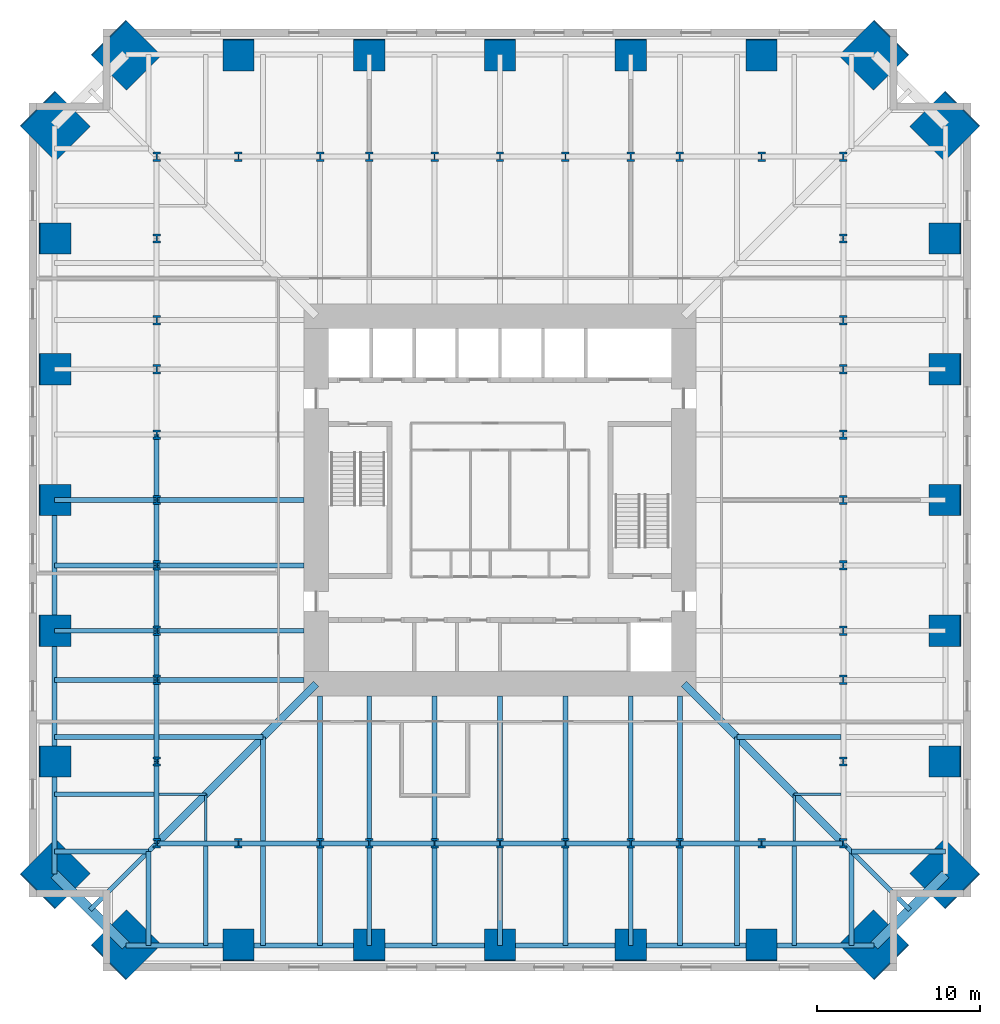
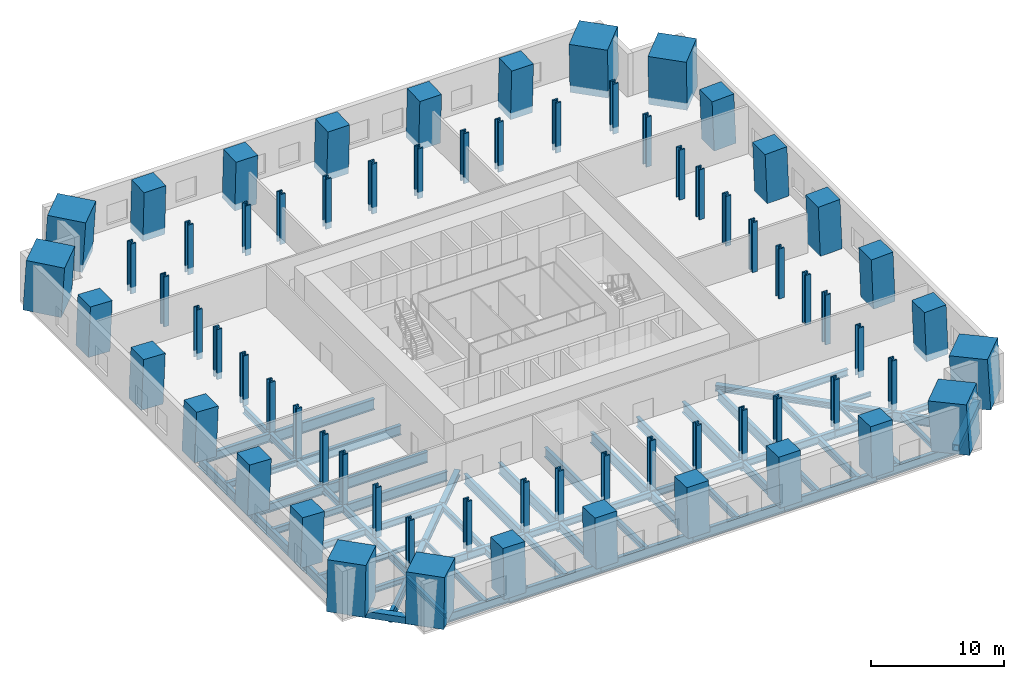
# One storey, part 1 of 8: 71 beams, 68 columns.
"""IFC4 building model written with IfcOpenShell, lengths in metres."""

import ifcopenshell
import ifcopenshell.guid

model = None  # the IFC model being written
_history = None  # IfcOwnerHistory: only IFC2X3 demands one
_inside = {}  # id of a spatial element -> (the spatial element, [elements in it])
_under = {}  # id of a project, library or spatial element -> (it, [spatial elements below it])
_declared = {}  # id of a project -> (the project, [libraries it declares])
_typed = {}  # id of a type object -> (the type object, [elements of that type])
_made_of = {}  # id of a material, layer set ... -> (it, [elements and type objects made of it])


def new_model(schema):
    """Start an empty IFC model of exactly this schema.

    Asked for "IFC4X3", IfcOpenShell would pick the latest addendum, in which some entities
    have other attributes; the version numbers below select the first issue.
    IFC2X3 requires an IfcOwnerHistory on every rooted entity: one is made here for all.
    """
    global model, _history
    if schema == "IFC4X3":
        model = ifcopenshell.file(schema_version=(4, 3, 0, 0))
    else:
        model = ifcopenshell.file(schema=schema)
    _inside.clear()
    _under.clear()
    _declared.clear()
    _typed.clear()
    _made_of.clear()
    _history = None
    if model.schema == "IFC2X3":
        org = make("IfcOrganization", Name="unknown")
        user = make(
            "IfcPersonAndOrganization",
            ThePerson=make("IfcPerson", FamilyName="unknown"),
            TheOrganization=org,
        )
        app = make(
            "IfcApplication",
            ApplicationDeveloper=org,
            Version="unknown",
            ApplicationFullName="unknown",
            ApplicationIdentifier="unknown",
        )
        _history = make(
            "IfcOwnerHistory",
            OwningUser=user,
            OwningApplication=app,
            ChangeAction="ADDED",
            CreationDate=0,
        )
    return model


def make(cls, **values):
    """One entity of the class cls with the attributes given. An attribute that is None is left unset."""
    return model.create_entity(
        cls, **{name: value for name, value in values.items() if value is not None}
    )


def rooted(cls, **values):
    """An entity with a GlobalId (a new one), such as an element, a storey or a relation."""
    return make(cls, GlobalId=ifcopenshell.guid.new(), OwnerHistory=_history, **values)


def si_unit(unit_type, name, prefix=None):
    """IfcSIUnit, for example si_unit("LENGTHUNIT", "METRE", prefix="MILLI")."""
    return make("IfcSIUnit", UnitType=unit_type, Prefix=prefix, Name=name)


def assignment(units):
    """IfcUnitAssignment: the units of a project."""
    return None if units is None else make("IfcUnitAssignment", Units=units)


def point(xyz):
    """IfcCartesianPoint."""
    return None if xyz is None else make("IfcCartesianPoint", Coordinates=xyz)


def direction(xyz):
    """IfcDirection."""
    return None if xyz is None else make("IfcDirection", DirectionRatios=xyz)


def frame(location, z_axis=None, x_axis=None):
    """IfcAxis2Placement3D, a coordinate frame: its origin and axes. An axis left out is left unset."""
    return make(
        "IfcAxis2Placement3D",
        Location=point(location),
        Axis=direction(z_axis),
        RefDirection=direction(x_axis),
    )


def frame_2d(location, x_axis=None):
    """IfcAxis2Placement2D, a coordinate frame in the plane: its origin and x axis."""
    return make(
        "IfcAxis2Placement2D", Location=point(location), RefDirection=direction(x_axis)
    )


def origin():
    """The frame at (0, 0, 0) with its axes left unset."""
    return frame((0.0, 0.0, 0.0))


def origin_2d():
    """The frame at (0, 0) in the plane with its x axis left unset."""
    return frame_2d((0.0, 0.0))


def place(relative_to, where):
    """IfcLocalPlacement: puts the frame where relative to a parent placement (None: the world)."""
    return make(
        "IfcLocalPlacement", PlacementRelTo=relative_to, RelativePlacement=where
    )


def context(
    kind, dimensions, precision=None, world=None, true_north=None, identifier=None
):
    """IfcGeometricRepresentationContext, for example the 3D "Model" context."""
    return make(
        "IfcGeometricRepresentationContext",
        ContextIdentifier=identifier,
        ContextType=kind,
        CoordinateSpaceDimension=dimensions,
        Precision=precision,
        WorldCoordinateSystem=world,
        TrueNorth=true_north,
    )


def subcontext(parent, identifier, kind, view, scale=None):
    """IfcGeometricRepresentationSubContext, for example "Body" below "Model"."""
    return make(
        "IfcGeometricRepresentationSubContext",
        ContextIdentifier=identifier,
        ContextType=kind,
        ParentContext=parent,
        TargetScale=scale,
        TargetView=view,
    )


def project(units=None, contexts=None):
    """IfcProject with its units and contexts."""
    return rooted(
        "IfcProject",
        Name="project",
        RepresentationContexts=contexts,
        UnitsInContext=assignment(units),
    )


def spatial(cls, under=None, at=None, **own):
    """A site, building, storey or space (cls), placed at a placement, below another one or the project."""
    s = rooted(cls, ObjectPlacement=at, **own)
    if under is not None:
        _under.setdefault(under.id(), (under, []))[1].append(s)
    return s


def profile(cls, at=None, kind="AREA", **sizes):
    """A parametric profile (cls). Its sizes go by their IFC names, for example OverallWidth=200.0."""
    return make(cls, ProfileType=kind, Position=at, **sizes)


def rectangle(**sizes):
    """IfcRectangleProfileDef."""
    return profile("IfcRectangleProfileDef", **sizes)


def hollow_rectangle(**sizes):
    """IfcRectangleHollowProfileDef."""
    return profile("IfcRectangleHollowProfileDef", **sizes)


def i_section(**sizes):
    """IfcIShapeProfileDef."""
    return profile("IfcIShapeProfileDef", **sizes)


def extrude(swept, where, along, depth):
    """IfcExtrudedAreaSolid: the profile swept, set in the frame where, extruded along a direction by depth."""
    return make(
        "IfcExtrudedAreaSolid",
        SweptArea=swept,
        Position=where,
        ExtrudedDirection=direction(along),
        Depth=depth,
    )


def shape(context_of_items, identifier, shape_type, items):
    """IfcShapeRepresentation: the items that make up one representation, for example the "Body"."""
    return make(
        "IfcShapeRepresentation",
        ContextOfItems=context_of_items,
        RepresentationIdentifier=identifier,
        RepresentationType=shape_type,
        Items=items,
    )


def material(Name=None, Category=None):
    """IfcMaterial."""
    return make("IfcMaterial", Name=Name, Category=Category)


def material_profile(
    of_material, cross_section, Name=None, Category=None, Priority=None
):
    """IfcMaterialProfile: a cross section and its material."""
    return make(
        "IfcMaterialProfile",
        Name=Name,
        Material=of_material,
        Profile=cross_section,
        Priority=Priority,
        Category=Category,
    )


def profile_set(profiles, Name=None, composite=None):
    """IfcMaterialProfileSet."""
    return make(
        "IfcMaterialProfileSet",
        Name=Name,
        MaterialProfiles=profiles,
        CompositeProfile=composite,
    )


def made_of(thing, what):
    """Note that an element or type object is made of a material, layer set ...; save() writes the relation."""
    if what is not None:
        _made_of.setdefault(what.id(), (what, []))[1].append(thing)
    return thing


def type_object(cls, material=None, **own):
    """A type object (cls), such as IfcWallType, which elements share."""
    return made_of(rooted(cls, **own), material)


def element(
    cls,
    number,
    at=None,
    inside=None,
    cuts=None,
    type_object=None,
    material=None,
    context=None,
    identifier="Body",
    shape_type=None,
    held_by="IfcProductDefinitionShape",
    body=None,
    shapes=None,
    **own,
):
    """One element of the class cls, such as IfcWall. Its Tag is "e" and its number.

    at: its placement. inside: the storey or other place that contains it. cuts: it is an
    opening in that element (IfcRelVoidsElement). A single representation is given by context,
    identifier, shape_type and body (its items); several are given by shapes. held_by: the class
    of the entity that holds the representations. save() writes the other relations.
    """
    e = rooted(cls, Tag="e%d" % number, ObjectPlacement=at, **own)
    if body is not None:
        shapes = [shape(context, identifier, shape_type, body)]
    if shapes is not None:
        e.Representation = make(held_by, Representations=shapes)
    if inside is not None:
        _inside.setdefault(inside.id(), (inside, []))[1].append(e)
    if cuts is not None:
        rooted(
            "IfcRelVoidsElement", RelatingBuildingElement=cuts, RelatedOpeningElement=e
        )
    if type_object is not None:
        _typed.setdefault(type_object.id(), (type_object, []))[1].append(e)
    return made_of(e, material)


def aggregate(whole, parts):
    """IfcRelAggregates: a whole, such as a stair, and the parts it consists of."""
    return rooted("IfcRelAggregates", RelatingObject=whole, RelatedObjects=parts)


def save(model, path):
    """Write the relations noted so far, then the file.

    IfcRelAggregates (storeys below a building ...), IfcRelContainedInSpatialStructure (elements
    in a storey), IfcRelDefinesByType, IfcRelAssociatesMaterial and IfcRelDeclares: one each for
    every whole, place, type object, material and project.
    """
    for whole, parts in _under.values():
        aggregate(whole, parts)
    for where, things in _inside.values():
        rooted(
            "IfcRelContainedInSpatialStructure",
            RelatedElements=things,
            RelatingStructure=where,
        )
    for kind, things in _typed.values():
        rooted("IfcRelDefinesByType", RelatedObjects=things, RelatingType=kind)
    for what, things in _made_of.values():
        rooted("IfcRelAssociatesMaterial", RelatedObjects=things, RelatingMaterial=what)
    for by, libraries in _declared.values():
        rooted("IfcRelDeclares", RelatingContext=by, RelatedDefinitions=libraries)
    model.write(path)


model = new_model("IFC4")

# Units and contexts
model_context = context("Model", 3, precision=1e-05, world=origin(), true_north=direction((0.0, 1.0)))
body_context = subcontext(model_context, "Body", "Model", "MODEL_VIEW")
ifc_project = project(units=[si_unit("LENGTHUNIT", "METRE"), si_unit("AREAUNIT", "SQUARE_METRE"), si_unit("VOLUMEUNIT", "CUBIC_METRE"), si_unit("PLANEANGLEUNIT", "RADIAN"), si_unit("MASSUNIT", "GRAM", prefix="KILO")], contexts=[model_context])

# Site, building, storey
site_placement = place(None, origin())
site = spatial("IfcSite", under=ifc_project, at=site_placement, CompositionType="ELEMENT")
building_placement = place(site_placement, origin())
building = spatial("IfcBuilding", under=site, at=building_placement, Name="Peilmerk Tower", CompositionType="ELEMENT")
storey_placement = place(building_placement, frame((0.0, 0.0, 90.60009765625)))
storey = spatial("IfcBuildingStorey", under=building, at=storey_placement, Name="L17", CompositionType="ELEMENT", Elevation=90.60009765625)

# Columns
ifc_material_1 = material(Name="Concrete C90/105", Category="concrete")
ifc_material_profile_1 = material_profile(ifc_material_1, rectangle(XDim=3.0, YDim=3.0, at=origin_2d()), Name="RC 3000x3000")
ifc_profile_set_1 = profile_set([ifc_material_profile_1], Name="Concrete C90/105")
column_type_1 = type_object("IfcColumnType", Name="MC1 3000x3000 encased mega column", PredefinedType="COLUMN", material=ifc_profile_set_1)
for number, where, z_axis, x_axis, name in (
    (1, (22.8935546875, 27.24365234375, 0.0), (-0.04027208745, -0.04027208745, 0.998376841651), (0.707106781187, -0.707106781187, 0.0), "Mega column MC1 NE_N L17"),
    (2, (27.24365234375, 22.8935546875, 0.0), (-0.04027208745, -0.04027208745, 0.998376841651), (0.707106781187, -0.707106781187, 0.0), "Mega column MC1 NE_E L17"),
    (3, (27.24365234375, -22.8935546875, 0.0), (-0.04027208745, 0.04027208745, 0.998376841651), (-0.707106781187, -0.707106781187, 0.0), "Mega column MC1 SE_E L17"),
    (4, (22.8935546875, -27.24365234375, 0.0), (-0.04027208745, 0.04027208745, 0.998376841651), (-0.707106781187, -0.707106781187, 0.0), "Mega column MC1 SE_S L17"),
    (5, (-22.8935546875, -27.24365234375, 0.0), (0.04027208745, 0.04027208745, 0.998376841651), (-0.707106781187, 0.707106781187, 0.0), "Mega column MC1 SW_S L17"),
    (6, (-27.24365234375, -22.8935546875, 0.0), (0.04027208745, 0.04027208745, 0.998376841651), (-0.707106781187, 0.707106781187, 0.0), "Mega column MC1 SW_W L17"),
    (7, (-27.24365234375, 22.8935546875, 0.0), (0.04027208745, -0.04027208745, 0.998376841651), (0.707106781187, 0.707106781187, 0.0), "Mega column MC1 NW_W L17"),
    (8, (-22.8935546875, 27.24365234375, 0.0), (0.04027208745, -0.04027208745, 0.998376841651), (0.707106781187, 0.707106781187, 0.0), "Mega column MC1 NW_N L17"),
):
    element("IfcColumn", number, at=place(storey_placement, frame(where, z_axis=z_axis, x_axis=x_axis)), inside=storey, type_object=column_type_1, Name=name, PredefinedType="COLUMN", context=body_context, shape_type="SweptSolid", body=[
        extrude(rectangle(XDim=3.0, YDim=3.0, at=origin_2d()), origin(), (0.0, 0.0, 1.0), 4.607421875),
    ])
ifc_material_profile_2 = material_profile(ifc_material_1, rectangle(XDim=1.89990234375, YDim=1.89990234375, at=origin_2d()), Name="RC 1900x1900")
ifc_profile_set_2 = profile_set([ifc_material_profile_2], Name="Concrete C90/105")
column_type_2 = type_object("IfcColumnType", Name="SC5 1900x1900 encased perimeter column", PredefinedType="COLUMN", material=ifc_profile_set_2)
for number, where, z_axis, x_axis, name in (
    (9, (0.0, 27.24365234375, 0.0), (0.0, -0.04030478469, 0.999187432032), (1.0, 0.0, 0.0), "Perimeter column N+0 L17"),
    (10, (8.0, 27.24365234375, 0.0), (0.0, -0.04030478469, 0.999187432032), (1.0, 0.0, 0.0), "Perimeter column N-8 L17"),
    (11, (-8.0, 27.24365234375, 0.0), (0.0, -0.04030478469, 0.999187432032), (1.0, 0.0, 0.0), "Perimeter column N+8 L17"),
    (12, (16.0, 27.24365234375, 0.0), (0.0, -0.04030478469, 0.999187432032), (1.0, 0.0, 0.0), "Perimeter column N-16 L17"),
    (13, (-16.0, 27.24365234375, 0.0), (0.0, -0.04030478469, 0.999187432032), (1.0, 0.0, 0.0), "Perimeter column N+16 L17"),
    (14, (27.24365234375, 0.0, 0.0), (-0.04030478469, 0.0, 0.999187432032), (0.0, -1.0, 0.0), "Perimeter column E+0 L17"),
    (15, (27.24365234375, -8.0, 0.0), (-0.04030478469, 0.0, 0.999187432032), (0.0, -1.0, 0.0), "Perimeter column E-8 L17"),
    (16, (27.24365234375, 8.0, 0.0), (-0.04030478469, 0.0, 0.999187432032), (0.0, -1.0, 0.0), "Perimeter column E+8 L17"),
    (17, (27.24365234375, -16.0, 0.0), (-0.04030478469, 0.0, 0.999187432032), (0.0, -1.0, 0.0), "Perimeter column E-16 L17"),
    (18, (27.24365234375, 16.0, 0.0), (-0.04030478469, 0.0, 0.999187432032), (0.0, -1.0, 0.0), "Perimeter column E+16 L17"),
    (19, (0.0, -27.24365234375, 0.0), (0.0, 0.04030478469, 0.999187432032), (-1.0, 0.0, 0.0), "Perimeter column S+0 L17"),
    (20, (-8.0, -27.24365234375, 0.0), (0.0, 0.04030478469, 0.999187432032), (-1.0, 0.0, 0.0), "Perimeter column S-8 L17"),
    (21, (8.0, -27.24365234375, 0.0), (0.0, 0.04030478469, 0.999187432032), (-1.0, 0.0, 0.0), "Perimeter column S+8 L17"),
    (22, (-16.0, -27.24365234375, 0.0), (0.0, 0.04030478469, 0.999187432032), (-1.0, 0.0, 0.0), "Perimeter column S-16 L17"),
    (23, (16.0, -27.24365234375, 0.0), (0.0, 0.04030478469, 0.999187432032), (-1.0, 0.0, 0.0), "Perimeter column S+16 L17"),
    (24, (-27.24365234375, 0.0, 0.0), (0.04030478469, 0.0, 0.999187432032), (0.0, 1.0, 0.0), "Perimeter column W+0 L17"),
    (25, (-27.24365234375, 8.0, 0.0), (0.04030478469, 0.0, 0.999187432032), (0.0, 1.0, 0.0), "Perimeter column W-8 L17"),
    (26, (-27.24365234375, -8.0, 0.0), (0.04030478469, 0.0, 0.999187432032), (0.0, 1.0, 0.0), "Perimeter column W+8 L17"),
    (27, (-27.24365234375, 16.0, 0.0), (0.04030478469, 0.0, 0.999187432032), (0.0, 1.0, 0.0), "Perimeter column W-16 L17"),
    (28, (-27.24365234375, -16.0, 0.0), (0.04030478469, 0.0, 0.999187432032), (0.0, 1.0, 0.0), "Perimeter column W+16 L17"),
):
    element("IfcColumn", number, at=place(storey_placement, frame(where, z_axis=z_axis, x_axis=x_axis)), inside=storey, type_object=column_type_2, Name=name, PredefinedType="COLUMN", context=body_context, shape_type="SweptSolid", body=[
        extrude(rectangle(XDim=1.89990234375, YDim=1.89990234375, at=origin_2d()), origin(), (0.0, 0.0, 1.0), 4.603515625),
    ])
ifc_material_2 = material(Name="Steel S460", Category="steel")
ifc_material_profile_3 = material_profile(ifc_material_2, i_section(OverallWidth=0.4541015625, OverallDepth=0.569091796875, WebThickness=0.077880859375, FlangeThickness=0.125, at=origin_2d()), Name="HD 400x1086")
ifc_profile_set_3 = profile_set([ifc_material_profile_3], Name="Steel S460")
column_type_3 = type_object("IfcColumnType", Name="SC6 HD 400x1086 interior column", PredefinedType="COLUMN", material=ifc_profile_set_3)
for number, where, z_axis, x_axis, name in (
    (29, (0.0, 21.0, 0.0), (0.0, 0.0, 1.0), (1.0, 0.0, 0.0), "Interior column N+0 L17"),
    (30, (4.0, 21.0, 0.0), (0.0, 0.0, 1.0), (1.0, 0.0, 0.0), "Interior column N-4 L17"),
    (31, (-4.0, 21.0, 0.0), (0.0, 0.0, 1.0), (1.0, 0.0, 0.0), "Interior column N+4 L17"),
    (32, (8.0, 21.0, 0.0), (0.0, 0.0, 1.0), (1.0, 0.0, 0.0), "Interior column N-8 L17"),
    (33, (-8.0, 21.0, 0.0), (0.0, 0.0, 1.0), (1.0, 0.0, 0.0), "Interior column N+8 L17"),
    (34, (11.0, 21.0, 0.0), (0.0, 0.0, 1.0), (1.0, 0.0, 0.0), "Interior column N-11 L17"),
    (35, (-11.0, 21.0, 0.0), (0.0, 0.0, 1.0), (1.0, 0.0, 0.0), "Interior column N+11 L17"),
    (36, (16.0, 21.0, 0.0), (0.0, 0.0, 1.0), (1.0, 0.0, 0.0), "Interior column N-16 L17"),
    (37, (-16.0, 21.0, 0.0), (0.0, 0.0, 1.0), (1.0, 0.0, 0.0), "Interior column N+16 L17"),
    (38, (21.0, 0.0, 0.0), (0.0, 0.0, 1.0), (1.0, 0.0, 0.0), "Interior column E+0 L17"),
    (39, (21.0, -4.0, 0.0), (0.0, 0.0, 1.0), (1.0, 0.0, 0.0), "Interior column E-4 L17"),
    (40, (21.0, 4.0, 0.0), (0.0, 0.0, 1.0), (1.0, 0.0, 0.0), "Interior column E+4 L17"),
    (41, (21.0, -8.0, 0.0), (0.0, 0.0, 1.0), (1.0, 0.0, 0.0), "Interior column E-8 L17"),
    (42, (21.0, 8.0, 0.0), (0.0, 0.0, 1.0), (1.0, 0.0, 0.0), "Interior column E+8 L17"),
    (43, (21.0, -11.0, 0.0), (0.0, 0.0, 1.0), (1.0, 0.0, 0.0), "Interior column E-11 L17"),
    (44, (21.0, 11.0, 0.0), (0.0, 0.0, 1.0), (1.0, 0.0, 0.0), "Interior column E+11 L17"),
    (45, (21.0, -16.0, 0.0), (0.0, 0.0, 1.0), (1.0, 0.0, 0.0), "Interior column E-16 L17"),
    (46, (21.0, 16.0, 0.0), (0.0, 0.0, 1.0), (1.0, 0.0, 0.0), "Interior column E+16 L17"),
    (47, (0.0, -21.0, 0.0), (0.0, 0.0, 1.0), (1.0, 0.0, 0.0), "Interior column S+0 L17"),
    (48, (-4.0, -21.0, 0.0), (0.0, 0.0, 1.0), (1.0, 0.0, 0.0), "Interior column S-4 L17"),
    (49, (4.0, -21.0, 0.0), (0.0, 0.0, 1.0), (1.0, 0.0, 0.0), "Interior column S+4 L17"),
    (50, (-8.0, -21.0, 0.0), (0.0, 0.0, 1.0), (1.0, 0.0, 0.0), "Interior column S-8 L17"),
    (51, (8.0, -21.0, 0.0), (0.0, 0.0, 1.0), (1.0, 0.0, 0.0), "Interior column S+8 L17"),
    (52, (-11.0, -21.0, 0.0), (0.0, 0.0, 1.0), (1.0, 0.0, 0.0), "Interior column S-11 L17"),
    (53, (11.0, -21.0, 0.0), (0.0, 0.0, 1.0), (1.0, 0.0, 0.0), "Interior column S+11 L17"),
    (54, (-16.0, -21.0, 0.0), (0.0, 0.0, 1.0), (1.0, 0.0, 0.0), "Interior column S-16 L17"),
    (55, (16.0, -21.0, 0.0), (0.0, 0.0, 1.0), (1.0, 0.0, 0.0), "Interior column S+16 L17"),
    (56, (-21.0, 0.0, 0.0), (0.0, 0.0, 1.0), (1.0, 0.0, 0.0), "Interior column W+0 L17"),
    (57, (-21.0, 4.0, 0.0), (0.0, 0.0, 1.0), (1.0, 0.0, 0.0), "Interior column W-4 L17"),
    (58, (-21.0, -4.0, 0.0), (0.0, 0.0, 1.0), (1.0, 0.0, 0.0), "Interior column W+4 L17"),
    (59, (-21.0, 8.0, 0.0), (0.0, 0.0, 1.0), (1.0, 0.0, 0.0), "Interior column W-8 L17"),
    (60, (-21.0, -8.0, 0.0), (0.0, 0.0, 1.0), (1.0, 0.0, 0.0), "Interior column W+8 L17"),
    (61, (-21.0, 11.0, 0.0), (0.0, 0.0, 1.0), (1.0, 0.0, 0.0), "Interior column W-11 L17"),
    (62, (-21.0, -11.0, 0.0), (0.0, 0.0, 1.0), (1.0, 0.0, 0.0), "Interior column W+11 L17"),
    (63, (-21.0, 16.0, 0.0), (0.0, 0.0, 1.0), (1.0, 0.0, 0.0), "Interior column W-16 L17"),
    (64, (-21.0, -16.0, 0.0), (0.0, 0.0, 1.0), (1.0, 0.0, 0.0), "Interior column W+16 L17"),
    (65, (21.0, 21.0, 0.0), (0.0, 0.0, 1.0), (1.0, 0.0, 0.0), "Interior column NE L17"),
    (66, (21.0, -21.0, 0.0), (0.0, 0.0, 1.0), (1.0, 0.0, 0.0), "Interior column SE L17"),
    (67, (-21.0, -21.0, 0.0), (0.0, 0.0, 1.0), (1.0, 0.0, 0.0), "Interior column SW L17"),
    (68, (-21.0, 21.0, 0.0), (0.0, 0.0, 1.0), (1.0, 0.0, 0.0), "Interior column NW L17"),
):
    element("IfcColumn", number, at=place(storey_placement, frame(where, z_axis=z_axis, x_axis=x_axis)), inside=storey, type_object=column_type_3, Name=name, PredefinedType="COLUMN", context=body_context, shape_type="SweptSolid", body=[
        extrude(i_section(OverallWidth=0.4541015625, OverallDepth=0.569091796875, WebThickness=0.077880859375, FlangeThickness=0.125, at=origin_2d()), origin(), (0.0, 0.0, 1.0), 4.599853515625),
    ])

# Beams
ifc_material_3 = material(Name="Steel S355", Category="steel")
ifc_material_profile_4 = material_profile(ifc_material_3, i_section(OverallWidth=0.302978515625, OverallDepth=0.81396484375, WebThickness=0.02099609375, FlangeThickness=0.0400390625, at=origin_2d()), Name="HEM 800")
ifc_profile_set_4 = profile_set([ifc_material_profile_4], Name="Steel S355")
beam_type_1 = type_object("IfcBeamType", Name="B15 HEM 800 edge beam", PredefinedType="SPANDREL", material=ifc_profile_set_4)
for number, where, z_axis, x_axis, name in (
    (69, (-22.8935546875, -27.24365234375, -0.607177734375), (1.0, 0.0, 0.0), (0.0, 1.0, 0.0), "Edge beam L17"),
    (70, (16.0, -27.24365234375, -0.607177734375), (1.0, 0.0, 0.0), (0.0, 1.0, 0.0), "Edge beam L17"),
    (71, (-27.24365234375, -16.0, -0.607177734375), (0.0, -1.0, 0.0), (1.0, 0.0, 0.0), "Edge beam L17"),
):
    element("IfcBeam", number, at=place(storey_placement, frame(where, z_axis=z_axis, x_axis=x_axis)), inside=storey, type_object=beam_type_1, Name=name, PredefinedType="SPANDREL", context=body_context, shape_type="SweptSolid", body=[
        extrude(i_section(OverallWidth=0.302978515625, OverallDepth=0.81396484375, WebThickness=0.02099609375, FlangeThickness=0.0400390625, at=origin_2d()), origin(), (0.0, 0.0, 1.0), 6.8935546875),
    ])
ifc_material_profile_5 = material_profile(ifc_material_3, i_section(OverallWidth=0.303955078125, OverallDepth=0.716064453125, WebThickness=0.02099609375, FlangeThickness=0.0400390625, at=origin_2d()), Name="HEM 700")
ifc_profile_set_5 = profile_set([ifc_material_profile_5], Name="Steel S355")
beam_type_2 = type_object("IfcBeamType", Name="B19 HEM 700 ring girder", PredefinedType="BEAM", material=ifc_profile_set_5)
for number, where, z_axis, x_axis, name in (
    (72, (-21.0, -21.0, -0.55810546875), (1.0, 0.0, 0.0), (0.0, 1.0, 0.0), "Ring girder L17"),
    (73, (-16.0, -21.0, -0.55810546875), (1.0, 0.0, 0.0), (0.0, 1.0, 0.0), "Ring girder L17"),
    (74, (11.0, -21.0, -0.55810546875), (1.0, 0.0, 0.0), (0.0, 1.0, 0.0), "Ring girder L17"),
    (75, (16.0, -21.0, -0.55810546875), (1.0, 0.0, 0.0), (0.0, 1.0, 0.0), "Ring girder L17"),
    (76, (-21.0, -11.0, -0.55810546875), (0.0, -1.0, 0.0), (1.0, 0.0, 0.0), "Ring girder L17"),
    (77, (-21.0, -16.0, -0.55810546875), (0.0, -1.0, 0.0), (1.0, 0.0, 0.0), "Ring girder L17"),
):
    element("IfcBeam", number, at=place(storey_placement, frame(where, z_axis=z_axis, x_axis=x_axis)), inside=storey, type_object=beam_type_2, Name=name, PredefinedType="BEAM", context=body_context, shape_type="SweptSolid", body=[
        extrude(i_section(OverallWidth=0.303955078125, OverallDepth=0.716064453125, WebThickness=0.02099609375, FlangeThickness=0.0400390625, at=origin_2d()), origin(), (0.0, 0.0, 1.0), 5.0),
    ])
ifc_material_profile_6 = material_profile(ifc_material_3, i_section(OverallWidth=0.302001953125, OverallDepth=0.909912109375, WebThickness=0.02099609375, FlangeThickness=0.0400390625, at=origin_2d()), Name="HEM 900")
ifc_profile_set_6 = profile_set([ifc_material_profile_6], Name="Steel S355")
beam_type_3 = type_object("IfcBeamType", Name="B2 HEM 900 edge beam", PredefinedType="SPANDREL", material=ifc_profile_set_6)
for number, where, z_axis, x_axis, name in (
    (78, (-16.0, -27.24365234375, -0.655029296875), (1.0, 0.0, 0.0), (0.0, 1.0, 0.0), "Edge beam L17"),
    (79, (-8.0, -27.24365234375, -0.655029296875), (1.0, 0.0, 0.0), (0.0, 1.0, 0.0), "Edge beam L17"),
    (80, (0.0, -27.24365234375, -0.655029296875), (1.0, 0.0, 0.0), (0.0, 1.0, 0.0), "Edge beam L17"),
    (81, (8.0, -27.24365234375, -0.655029296875), (1.0, 0.0, 0.0), (0.0, 1.0, 0.0), "Edge beam L17"),
    (82, (-27.24365234375, 0.0, -0.655029296875), (0.0, -1.0, 0.0), (1.0, 0.0, 0.0), "Edge beam L17"),
    (83, (-27.24365234375, -8.0, -0.655029296875), (0.0, -1.0, 0.0), (1.0, 0.0, 0.0), "Edge beam L17"),
):
    element("IfcBeam", number, at=place(storey_placement, frame(where, z_axis=z_axis, x_axis=x_axis)), inside=storey, type_object=beam_type_3, Name=name, PredefinedType="SPANDREL", context=body_context, shape_type="SweptSolid", body=[
        extrude(i_section(OverallWidth=0.302001953125, OverallDepth=0.909912109375, WebThickness=0.02099609375, FlangeThickness=0.0400390625, at=origin_2d()), origin(), (0.0, 0.0, 1.0), 8.0),
    ])
ifc_material_profile_7 = material_profile(ifc_material_2, hollow_rectangle(XDim=0.60009765625, YDim=0.60009765625, WallThickness=0.06005859375, at=origin_2d()), Name="BOX 600x600x60")
ifc_profile_set_7 = profile_set([ifc_material_profile_7], Name="Steel S460")
beam_type_4 = type_object("IfcBeamType", Name="B20 BOX 600x600x60 notch beam", PredefinedType="SPANDREL", material=ifc_profile_set_7)
for number, where, z_axis, x_axis, name in (
    (84, (27.24365234375, -22.8935546875, -0.5), (-0.707106781187, -0.707106781187, 0.0), (0.707106781187, -0.707106781187, 0.0), "Notch beam L17"),
    (85, (-22.8935546875, -27.24365234375, -0.5), (-0.707106781187, 0.707106781187, 0.0), (-0.707106781187, -0.707106781187, 0.0), "Notch beam L17"),
):
    element("IfcBeam", number, at=place(storey_placement, frame(where, z_axis=z_axis, x_axis=x_axis)), inside=storey, type_object=beam_type_4, Name=name, PredefinedType="SPANDREL", context=body_context, shape_type="SweptSolid", body=[
        extrude(hollow_rectangle(XDim=0.60009765625, YDim=0.60009765625, WallThickness=0.06005859375, at=origin_2d()), origin(), (0.0, 0.0, 1.0), 6.15185546875),
    ])
ifc_material_profile_8 = material_profile(ifc_material_3, i_section(OverallWidth=0.302001953125, OverallDepth=1.008056640625, WebThickness=0.02099609375, FlangeThickness=0.0400390625, at=origin_2d()), Name="HEM 1000")
ifc_profile_set_8 = profile_set([ifc_material_profile_8], Name="Steel S355")
beam_type_5 = type_object("IfcBeamType", Name="B24 HEM 1000 floor girder", PredefinedType="BEAM", material=ifc_profile_set_8)
for number, where, z_axis, x_axis, name in (
    (86, (-8.0, -12.0, -0.7041015625), (0.0, -1.0, 0.0), (1.0, 0.0, 0.0), "Floor girder L17"),
    (87, (0.0, -12.0, -0.7041015625), (0.0, -1.0, 0.0), (1.0, 0.0, 0.0), "Floor girder L17"),
    (88, (8.0, -12.0, -0.7041015625), (0.0, -1.0, 0.0), (1.0, 0.0, 0.0), "Floor girder L17"),
    (89, (-12.0, 0.0, -0.7041015625), (-1.0, 0.0, 0.0), (0.0, -1.0, 0.0), "Floor girder L17"),
    (90, (-12.0, -8.0, -0.7041015625), (-1.0, 0.0, 0.0), (0.0, -1.0, 0.0), "Floor girder L17"),
):
    element("IfcBeam", number, at=place(storey_placement, frame(where, z_axis=z_axis, x_axis=x_axis)), inside=storey, type_object=beam_type_5, Name=name, PredefinedType="BEAM", context=body_context, shape_type="SweptSolid", body=[
        extrude(i_section(OverallWidth=0.302001953125, OverallDepth=1.008056640625, WebThickness=0.02099609375, FlangeThickness=0.0400390625, at=origin_2d()), origin(), (0.0, 0.0, 1.0), 9.0),
    ])
ifc_material_profile_9 = material_profile(ifc_material_3, i_section(OverallWidth=0.300048828125, OverallDepth=0.590087890625, WebThickness=0.012939453125, FlangeThickness=0.02490234375, at=origin_2d()), Name="HEA 600")
ifc_profile_set_9 = profile_set([ifc_material_profile_9], Name="Steel S355")
beam_type_6 = type_object("IfcBeamType", Name="B27 HEA 600 floor beam", PredefinedType="BEAM", material=ifc_profile_set_9)
for number, where, z_axis, x_axis, name in (
    (91, (-11.0, -21.0, -0.4951171875), (0.0, -1.0, 0.0), (1.0, 0.0, 0.0), "Floor beam L17"),
    (92, (-4.0, -21.0, -0.4951171875), (0.0, -1.0, 0.0), (1.0, 0.0, 0.0), "Floor beam L17"),
    (93, (4.0, -21.0, -0.4951171875), (0.0, -1.0, 0.0), (1.0, 0.0, 0.0), "Floor beam L17"),
    (94, (11.0, -21.0, -0.4951171875), (0.0, -1.0, 0.0), (1.0, 0.0, 0.0), "Floor beam L17"),
    (95, (-21.0, -4.0, -0.4951171875), (-1.0, 0.0, 0.0), (0.0, -1.0, 0.0), "Floor beam L17"),
    (96, (-21.0, -11.0, -0.4951171875), (-1.0, 0.0, 0.0), (0.0, -1.0, 0.0), "Floor beam L17"),
):
    element("IfcBeam", number, at=place(storey_placement, frame(where, z_axis=z_axis, x_axis=x_axis)), inside=storey, type_object=beam_type_6, Name=name, PredefinedType="BEAM", context=body_context, shape_type="SweptSolid", body=[
        extrude(i_section(OverallWidth=0.300048828125, OverallDepth=0.590087890625, WebThickness=0.012939453125, FlangeThickness=0.02490234375, at=origin_2d()), origin(), (0.0, 0.0, 1.0), 6.24365234375),
    ])
beam_1_placement = place(storey_placement, frame((14.5, -14.5, -0.4951171875), z_axis=(0.0, -1.0, 0.0), x_axis=(1.0, 0.0, 0.0)))
element("IfcBeam", 97, at=beam_1_placement, inside=storey, type_object=beam_type_6, Name="Floor beam L17", PredefinedType="BEAM", context=body_context, shape_type="SweptSolid", body=[
    extrude(i_section(OverallWidth=0.300048828125, OverallDepth=0.590087890625, WebThickness=0.012939453125, FlangeThickness=0.02490234375, at=origin_2d()), origin(), (0.0, 0.0, 1.0), 6.347900390625),
])
beam_2_placement = place(storey_placement, frame((14.5, -21.152099609375, -0.4951171875), z_axis=(0.0, -1.0, 0.0), x_axis=(1.0, 0.0, 0.0)))
element("IfcBeam", 98, at=beam_2_placement, inside=storey, type_object=beam_type_6, Name="Floor beam L17", PredefinedType="BEAM", context=body_context, shape_type="SweptSolid", body=[
    extrude(i_section(OverallWidth=0.300048828125, OverallDepth=0.590087890625, WebThickness=0.012939453125, FlangeThickness=0.02490234375, at=origin_2d()), origin(), (0.0, 0.0, 1.0), 6.091552734375),
])
beam_3_placement = place(storey_placement, frame((14.5, -14.5, -0.4951171875), z_axis=(1.0, 0.0, 0.0), x_axis=(0.0, 1.0, 0.0)))
element("IfcBeam", 99, at=beam_3_placement, inside=storey, type_object=beam_type_6, Name="Floor beam L17", PredefinedType="BEAM", context=body_context, shape_type="SweptSolid", body=[
    extrude(i_section(OverallWidth=0.300048828125, OverallDepth=0.590087890625, WebThickness=0.012939453125, FlangeThickness=0.02490234375, at=origin_2d()), origin(), (0.0, 0.0, 1.0), 6.347900390625),
])
beam_4_placement = place(storey_placement, frame((18.0, -21.152099609375, -0.4951171875), z_axis=(0.0, -1.0, 0.0), x_axis=(1.0, 0.0, 0.0)))
element("IfcBeam", 100, at=beam_4_placement, inside=storey, type_object=beam_type_6, Name="Floor beam L17", PredefinedType="BEAM", context=body_context, shape_type="SweptSolid", body=[
    extrude(i_section(OverallWidth=0.300048828125, OverallDepth=0.590087890625, WebThickness=0.012939453125, FlangeThickness=0.02490234375, at=origin_2d()), origin(), (0.0, 0.0, 1.0), 6.091552734375),
])
beam_5_placement = place(storey_placement, frame((-14.5, -14.5, -0.4951171875), z_axis=(0.0, -1.0, 0.0), x_axis=(1.0, 0.0, 0.0)))
element("IfcBeam", 101, at=beam_5_placement, inside=storey, type_object=beam_type_6, Name="Floor beam L17", PredefinedType="BEAM", context=body_context, shape_type="SweptSolid", body=[
    extrude(i_section(OverallWidth=0.300048828125, OverallDepth=0.590087890625, WebThickness=0.012939453125, FlangeThickness=0.02490234375, at=origin_2d()), origin(), (0.0, 0.0, 1.0), 6.347900390625),
])
beam_6_placement = place(storey_placement, frame((-14.5, -21.152099609375, -0.4951171875), z_axis=(0.0, -1.0, 0.0), x_axis=(1.0, 0.0, 0.0)))
element("IfcBeam", 102, at=beam_6_placement, inside=storey, type_object=beam_type_6, Name="Floor beam L17", PredefinedType="BEAM", context=body_context, shape_type="SweptSolid", body=[
    extrude(i_section(OverallWidth=0.300048828125, OverallDepth=0.590087890625, WebThickness=0.012939453125, FlangeThickness=0.02490234375, at=origin_2d()), origin(), (0.0, 0.0, 1.0), 6.091552734375),
])
beam_7_placement = place(storey_placement, frame((-14.5, -14.5, -0.4951171875), z_axis=(-1.0, 0.0, 0.0), x_axis=(0.0, -1.0, 0.0)))
element("IfcBeam", 103, at=beam_7_placement, inside=storey, type_object=beam_type_6, Name="Floor beam L17", PredefinedType="BEAM", context=body_context, shape_type="SweptSolid", body=[
    extrude(i_section(OverallWidth=0.300048828125, OverallDepth=0.590087890625, WebThickness=0.012939453125, FlangeThickness=0.02490234375, at=origin_2d()), origin(), (0.0, 0.0, 1.0), 6.347900390625),
])
for number, where, z_axis, x_axis, name in (
    (104, (-21.152099609375, -14.5, -0.4951171875), (-1.0, 0.0, 0.0), (0.0, -1.0, 0.0), "Floor beam L17"),
    (105, (-18.0, -21.152099609375, -0.4951171875), (0.0, -1.0, 0.0), (1.0, 0.0, 0.0), "Floor beam L17"),
    (106, (-21.152099609375, -18.0, -0.4951171875), (-1.0, 0.0, 0.0), (0.0, -1.0, 0.0), "Floor beam L17"),
):
    element("IfcBeam", number, at=place(storey_placement, frame(where, z_axis=z_axis, x_axis=x_axis)), inside=storey, type_object=beam_type_6, Name=name, PredefinedType="BEAM", context=body_context, shape_type="SweptSolid", body=[
        extrude(i_section(OverallWidth=0.300048828125, OverallDepth=0.590087890625, WebThickness=0.012939453125, FlangeThickness=0.02490234375, at=origin_2d()), origin(), (0.0, 0.0, 1.0), 6.091552734375),
    ])
ifc_material_profile_10 = material_profile(ifc_material_3, i_section(OverallWidth=0.179931640625, OverallDepth=0.39990234375, WebThickness=0.008544921875, FlangeThickness=0.013427734375, at=origin_2d()), Name="IPE 400")
ifc_profile_set_10 = profile_set([ifc_material_profile_10], Name="Steel S355")
beam_type_7 = type_object("IfcBeamType", Name="B28 IPE 400 floor beam", PredefinedType="BEAM", material=ifc_profile_set_10)
for number, where, z_axis, x_axis, name in (
    (107, (18.0, -18.0, -0.400146484375), (0.0, -1.0, 0.0), (1.0, 0.0, 0.0), "Floor beam L17"),
    (108, (18.0, -18.0, -0.400146484375), (1.0, 0.0, 0.0), (0.0, 1.0, 0.0), "Floor beam L17"),
    (109, (-18.0, -18.0, -0.400146484375), (0.0, -1.0, 0.0), (1.0, 0.0, 0.0), "Floor beam L17"),
    (110, (-18.0, -18.0, -0.400146484375), (-1.0, 0.0, 0.0), (0.0, -1.0, 0.0), "Floor beam L17"),
):
    element("IfcBeam", number, at=place(storey_placement, frame(where, z_axis=z_axis, x_axis=x_axis)), inside=storey, type_object=beam_type_7, Name=name, PredefinedType="BEAM", context=body_context, shape_type="SweptSolid", body=[
        extrude(i_section(OverallWidth=0.179931640625, OverallDepth=0.39990234375, WebThickness=0.008544921875, FlangeThickness=0.013427734375, at=origin_2d()), origin(), (0.0, 0.0, 1.0), 2.847900390625),
    ])
ifc_material_profile_11 = material_profile(ifc_material_3, i_section(OverallWidth=0.300048828125, OverallDepth=0.489990234375, WebThickness=0.011962890625, FlangeThickness=0.02294921875, at=origin_2d()), Name="HEA 500")
ifc_profile_set_11 = profile_set([ifc_material_profile_11], Name="Steel S355")
beam_type_8 = type_object("IfcBeamType", Name="B29 HEA 500 floor beam", PredefinedType="BEAM", material=ifc_profile_set_11)
for number, where, z_axis, x_axis, name in (
    (111, (21.5, -21.5, -0.445068359375), (0.0, -1.0, 0.0), (1.0, 0.0, 0.0), "Floor beam L17"),
    (112, (21.5, -21.5, -0.445068359375), (1.0, 0.0, 0.0), (0.0, 1.0, 0.0), "Floor beam L17"),
    (113, (-21.5, -21.5, -0.445068359375), (0.0, -1.0, 0.0), (1.0, 0.0, 0.0), "Floor beam L17"),
    (114, (-21.5, -21.5, -0.445068359375), (-1.0, 0.0, 0.0), (0.0, -1.0, 0.0), "Floor beam L17"),
):
    element("IfcBeam", number, at=place(storey_placement, frame(where, z_axis=z_axis, x_axis=x_axis)), inside=storey, type_object=beam_type_8, Name=name, PredefinedType="BEAM", context=body_context, shape_type="SweptSolid", body=[
        extrude(i_section(OverallWidth=0.300048828125, OverallDepth=0.489990234375, WebThickness=0.011962890625, FlangeThickness=0.02294921875, at=origin_2d()), origin(), (0.0, 0.0, 1.0), 5.74365234375),
    ])
ifc_material_profile_12 = material_profile(ifc_material_3, i_section(OverallWidth=0.300048828125, OverallDepth=0.7900390625, WebThickness=0.014892578125, FlangeThickness=0.028076171875, at=origin_2d()), Name="HEA 800")
ifc_profile_set_12 = profile_set([ifc_material_profile_12], Name="Steel S355")
beam_type_9 = type_object("IfcBeamType", Name="B3 HEA 800 floor beam", PredefinedType="BEAM", material=ifc_profile_set_12)
for number, where, z_axis, x_axis, name in (
    (115, (-8.0, -21.0, -0.59521484375), (0.0, -1.0, 0.0), (1.0, 0.0, 0.0), "Floor girder L17"),
    (116, (0.0, -21.0, -0.59521484375), (0.0, -1.0, 0.0), (1.0, 0.0, 0.0), "Floor girder L17"),
    (117, (8.0, -21.0, -0.59521484375), (0.0, -1.0, 0.0), (1.0, 0.0, 0.0), "Floor girder L17"),
    (118, (-21.0, 0.0, -0.59521484375), (-1.0, 0.0, 0.0), (0.0, -1.0, 0.0), "Floor girder L17"),
    (119, (-21.0, -8.0, -0.59521484375), (-1.0, 0.0, 0.0), (0.0, -1.0, 0.0), "Floor girder L17"),
):
    element("IfcBeam", number, at=place(storey_placement, frame(where, z_axis=z_axis, x_axis=x_axis)), inside=storey, type_object=beam_type_9, Name=name, PredefinedType="BEAM", context=body_context, shape_type="SweptSolid", body=[
        extrude(i_section(OverallWidth=0.300048828125, OverallDepth=0.7900390625, WebThickness=0.014892578125, FlangeThickness=0.028076171875, at=origin_2d()), origin(), (0.0, 0.0, 1.0), 6.24365234375),
    ])
ifc_material_profile_13 = material_profile(ifc_material_3, i_section(OverallWidth=0.300048828125, OverallDepth=0.889892578125, WebThickness=0.01611328125, FlangeThickness=0.030029296875, at=origin_2d()), Name="HEA 900")
ifc_profile_set_13 = profile_set([ifc_material_profile_13], Name="Steel S355")
beam_type_10 = type_object("IfcBeamType", Name="B4 HEA 900 floor beam", PredefinedType="BEAM", material=ifc_profile_set_13)
for number, where, z_axis, x_axis, name in (
    (120, (-11.0, -12.0, -0.64501953125), (0.0, -1.0, 0.0), (1.0, 0.0, 0.0), "Floor beam L17"),
    (121, (-4.0, -12.0, -0.64501953125), (0.0, -1.0, 0.0), (1.0, 0.0, 0.0), "Floor beam L17"),
    (122, (4.0, -12.0, -0.64501953125), (0.0, -1.0, 0.0), (1.0, 0.0, 0.0), "Floor beam L17"),
    (123, (11.0, -12.0, -0.64501953125), (0.0, -1.0, 0.0), (1.0, 0.0, 0.0), "Floor beam L17"),
    (124, (-12.0, -4.0, -0.64501953125), (-1.0, 0.0, 0.0), (0.0, -1.0, 0.0), "Floor beam L17"),
    (125, (-12.0, -11.0, -0.64501953125), (-1.0, 0.0, 0.0), (0.0, -1.0, 0.0), "Floor beam L17"),
):
    element("IfcBeam", number, at=place(storey_placement, frame(where, z_axis=z_axis, x_axis=x_axis)), inside=storey, type_object=beam_type_10, Name=name, PredefinedType="BEAM", context=body_context, shape_type="SweptSolid", body=[
        extrude(i_section(OverallWidth=0.300048828125, OverallDepth=0.889892578125, WebThickness=0.01611328125, FlangeThickness=0.030029296875, at=origin_2d()), origin(), (0.0, 0.0, 1.0), 9.0),
    ])
for number, where, z_axis, x_axis, name in (
    (126, (21.0, -21.0, -0.64501953125), (0.707106781187, -0.707106781187, 0.0), (0.707106781187, 0.707106781187, 0.0), "Corner girder L17"),
    (127, (-21.0, -21.0, -0.64501953125), (-0.707106781187, -0.707106781187, 0.0), (0.707106781187, -0.707106781187, 0.0), "Corner girder L17"),
):
    element("IfcBeam", number, at=place(storey_placement, frame(where, z_axis=z_axis, x_axis=x_axis)), inside=storey, type_object=beam_type_10, Name=name, PredefinedType="BEAM", context=body_context, shape_type="SweptSolid", body=[
        extrude(i_section(OverallWidth=0.300048828125, OverallDepth=0.889892578125, WebThickness=0.01611328125, FlangeThickness=0.030029296875, at=origin_2d()), origin(), (0.0, 0.0, 1.0), 5.75390625),
    ])
ifc_material_profile_14 = material_profile(ifc_material_3, i_section(OverallWidth=0.304931640625, OverallDepth=0.6201171875, WebThickness=0.02099609375, FlangeThickness=0.0400390625, at=origin_2d()), Name="HEM 600")
ifc_profile_set_14 = profile_set([ifc_material_profile_14], Name="Steel S355")
beam_type_11 = type_object("IfcBeamType", Name="B6 HEM 600 ring girder", PredefinedType="BEAM", material=ifc_profile_set_14)
beam_8_placement = place(storey_placement, frame((-11.0, -21.0, -0.510009765625), z_axis=(1.0, 0.0, 0.0), x_axis=(0.0, 1.0, 0.0)))
element("IfcBeam", 128, at=beam_8_placement, inside=storey, type_object=beam_type_11, Name="Ring girder L17", PredefinedType="BEAM", context=body_context, shape_type="SweptSolid", body=[
    extrude(i_section(OverallWidth=0.304931640625, OverallDepth=0.6201171875, WebThickness=0.02099609375, FlangeThickness=0.0400390625, at=origin_2d()), origin(), (0.0, 0.0, 1.0), 3.0),
])
for number, where, z_axis, x_axis, name in (
    (129, (-8.0, -21.0, -0.510009765625), (1.0, 0.0, 0.0), (0.0, 1.0, 0.0), "Ring girder L17"),
    (130, (-4.0, -21.0, -0.510009765625), (1.0, 0.0, 0.0), (0.0, 1.0, 0.0), "Ring girder L17"),
    (131, (0.0, -21.0, -0.510009765625), (1.0, 0.0, 0.0), (0.0, 1.0, 0.0), "Ring girder L17"),
    (132, (4.0, -21.0, -0.510009765625), (1.0, 0.0, 0.0), (0.0, 1.0, 0.0), "Ring girder L17"),
):
    element("IfcBeam", number, at=place(storey_placement, frame(where, z_axis=z_axis, x_axis=x_axis)), inside=storey, type_object=beam_type_11, Name=name, PredefinedType="BEAM", context=body_context, shape_type="SweptSolid", body=[
        extrude(i_section(OverallWidth=0.304931640625, OverallDepth=0.6201171875, WebThickness=0.02099609375, FlangeThickness=0.0400390625, at=origin_2d()), origin(), (0.0, 0.0, 1.0), 4.0),
    ])
beam_9_placement = place(storey_placement, frame((8.0, -21.0, -0.510009765625), z_axis=(1.0, 0.0, 0.0), x_axis=(0.0, 1.0, 0.0)))
element("IfcBeam", 133, at=beam_9_placement, inside=storey, type_object=beam_type_11, Name="Ring girder L17", PredefinedType="BEAM", context=body_context, shape_type="SweptSolid", body=[
    extrude(i_section(OverallWidth=0.304931640625, OverallDepth=0.6201171875, WebThickness=0.02099609375, FlangeThickness=0.0400390625, at=origin_2d()), origin(), (0.0, 0.0, 1.0), 3.0),
])
for number, where, z_axis, x_axis, name in (
    (134, (-21.0, 4.0, -0.510009765625), (0.0, -1.0, 0.0), (1.0, 0.0, 0.0), "Ring girder L17"),
    (135, (-21.0, 0.0, -0.510009765625), (0.0, -1.0, 0.0), (1.0, 0.0, 0.0), "Ring girder L17"),
    (136, (-21.0, -4.0, -0.510009765625), (0.0, -1.0, 0.0), (1.0, 0.0, 0.0), "Ring girder L17"),
):
    element("IfcBeam", number, at=place(storey_placement, frame(where, z_axis=z_axis, x_axis=x_axis)), inside=storey, type_object=beam_type_11, Name=name, PredefinedType="BEAM", context=body_context, shape_type="SweptSolid", body=[
        extrude(i_section(OverallWidth=0.304931640625, OverallDepth=0.6201171875, WebThickness=0.02099609375, FlangeThickness=0.0400390625, at=origin_2d()), origin(), (0.0, 0.0, 1.0), 4.0),
    ])
beam_10_placement = place(storey_placement, frame((-21.0, -8.0, -0.510009765625), z_axis=(0.0, -1.0, 0.0), x_axis=(1.0, 0.0, 0.0)))
element("IfcBeam", 137, at=beam_10_placement, inside=storey, type_object=beam_type_11, Name="Ring girder L17", PredefinedType="BEAM", context=body_context, shape_type="SweptSolid", body=[
    extrude(i_section(OverallWidth=0.304931640625, OverallDepth=0.6201171875, WebThickness=0.02099609375, FlangeThickness=0.0400390625, at=origin_2d()), origin(), (0.0, 0.0, 1.0), 3.0),
])
ifc_material_profile_15 = material_profile(ifc_material_2, i_section(OverallWidth=0.4541015625, OverallDepth=0.569091796875, WebThickness=0.077880859375, FlangeThickness=0.125, at=origin_2d()), Name="HD 400x1086")
ifc_profile_set_15 = profile_set([ifc_material_profile_15], Name="Steel S460")
beam_type_12 = type_object("IfcBeamType", Name="B9 HD 400x1086 corner girder", PredefinedType="BEAM", material=ifc_profile_set_15)
for number, where, z_axis, x_axis, name in (
    (138, (11.25, -11.25, -0.484619140625), (0.707106781187, -0.707106781187, 0.0), (0.707106781187, 0.707106781187, 0.0), "Corner girder L17"),
    (139, (-11.25, -11.25, -0.484619140625), (-0.707106781187, -0.707106781187, 0.0), (0.707106781187, -0.707106781187, 0.0), "Corner girder L17"),
):
    element("IfcBeam", number, at=place(storey_placement, frame(where, z_axis=z_axis, x_axis=x_axis)), inside=storey, type_object=beam_type_12, Name=name, PredefinedType="BEAM", context=body_context, shape_type="SweptSolid", body=[
        extrude(i_section(OverallWidth=0.4541015625, OverallDepth=0.569091796875, WebThickness=0.077880859375, FlangeThickness=0.125, at=origin_2d()), origin(), (0.0, 0.0, 1.0), 13.78857421875),
    ])

save(model, "model.ifc")
